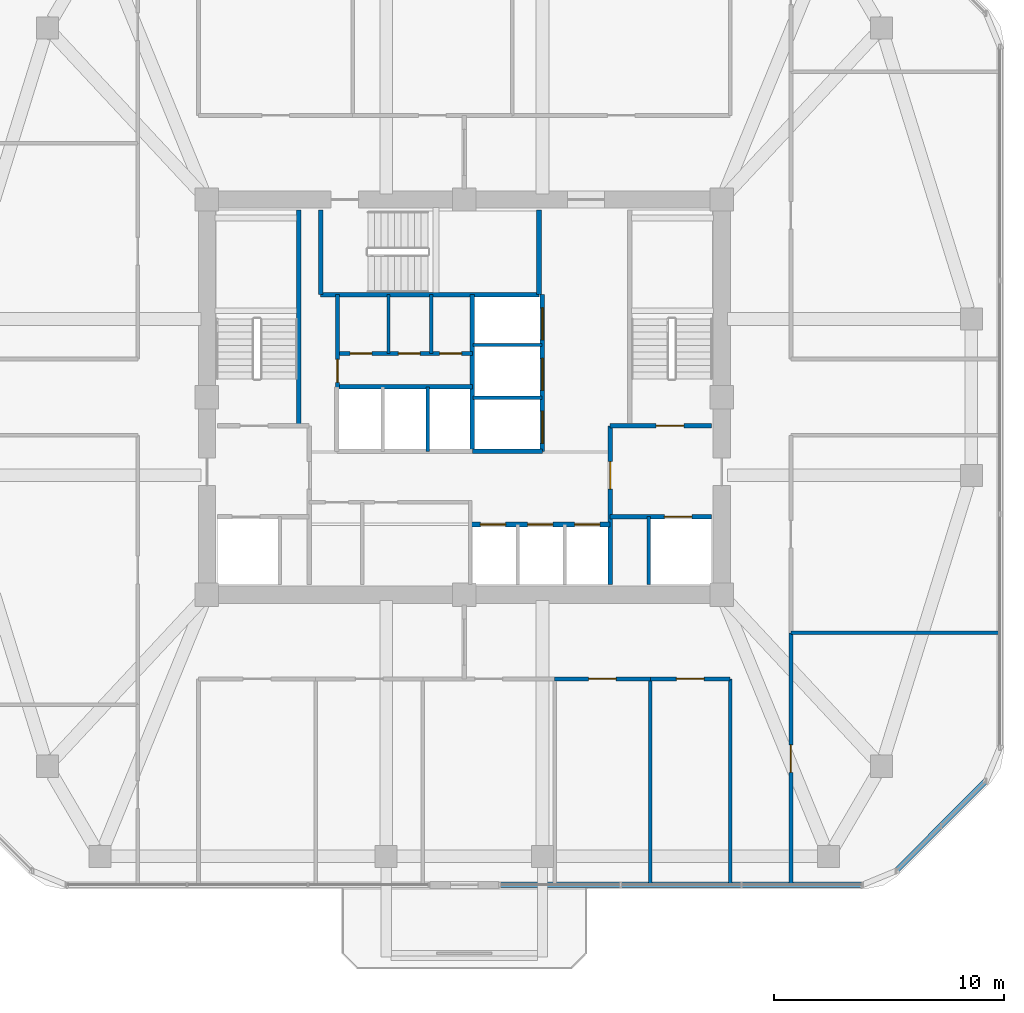
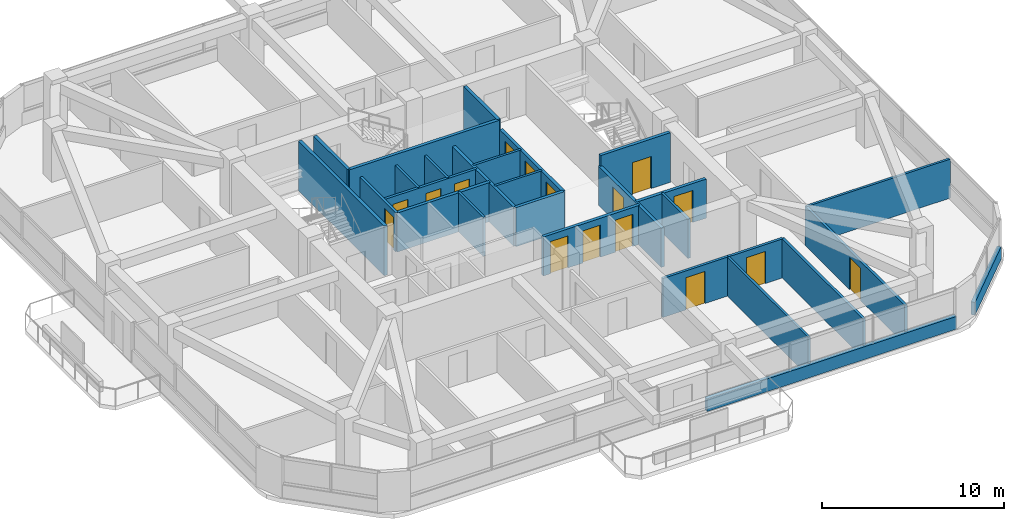
# One storey, part 8 of 12: 28 walls, 16 doors, 16 openings.
"""IFC4 building model written with IfcOpenShell, lengths in metres."""

from ifc_helpers import new_model, si_unit, derived_unit, direction, frame, frame_2d, origin, place, context, subcontext, project, spatial, rectangle, extrude, material, layer, layer_set, type_object, element, fill, save


model = new_model("IFC4")

# Units and contexts
model_context = context("Model", 3, precision=1e-05, world=origin(), true_north=direction((0.0, 1.0)))
body_context = subcontext(model_context, "Body", "Model", "MODEL_VIEW")
ifc_project = project(units=[si_unit("LENGTHUNIT", "METRE"), si_unit("AREAUNIT", "SQUARE_METRE"), si_unit("VOLUMEUNIT", "CUBIC_METRE"), si_unit("PLANEANGLEUNIT", "RADIAN"), si_unit("MASSUNIT", "GRAM", prefix="KILO"), derived_unit("THERMALTRANSMITTANCEUNIT", [(si_unit("POWERUNIT", "WATT"), 1), (si_unit("LENGTHUNIT", "METRE"), -2), (si_unit("THERMODYNAMICTEMPERATUREUNIT", "KELVIN"), -1)])], contexts=[model_context])

# Site, building, storey
site_placement = place(None, origin())
site = spatial("IfcSite", under=ifc_project, at=site_placement, CompositionType="ELEMENT")
building_placement = place(site_placement, origin())
building = spatial("IfcBuilding", under=site, at=building_placement, Name="Koralith Skygarden Medical Center", CompositionType="ELEMENT")
storey_placement = place(building_placement, frame((0.0, 0.0, 149.219970703125)))
storey = spatial("IfcBuildingStorey", under=building, at=storey_placement, Name="L38", CompositionType="ELEMENT", Elevation=149.219970703125)

# Walls
ifc_material_1 = material(Name="Gypsum Board Partition")
ifc_layer_1 = layer(ifc_material_1, 0.14990234375)
ifc_layer_set_1 = layer_set([ifc_layer_1], Name="Gypsum Board Partition")
wall_type_1 = type_object("IfcWallType", Name="Clinical Acoustic Partition 150", PredefinedType="PARTITIONING", material=ifc_layer_set_1)
for number, where, z_axis, x_axis, name in (
    (1, (33.699951171875, 27.800048828125, 0.0), (0.0, 0.0, 1.0), (0.0, 1.0, 0.0), "L38 Clinical Acoustic Partition 150 W-CORE-L38-FLEX-V2A"),
    (2, (35.56005859375, 27.800048828125, 0.0), (0.0, 0.0, 1.0), (0.0, 1.0, 0.0), "L38 Clinical Acoustic Partition 150 W-CORE-L38-FLEX-V2B"),
):
    element("IfcWall", number, at=place(storey_placement, frame(where, z_axis=z_axis, x_axis=x_axis)), inside=storey, type_object=wall_type_1, Name=name, PredefinedType="PARTITIONING", context=body_context, shape_type="SweptSolid", body=[
        extrude(rectangle(XDim=2.56005859375, YDim=0.14990234375, at=frame_2d((1.280029296875, 0.0))), origin(), (0.0, 0.0, 1.0), 2.610107421875),
    ])
wall_1_placement = place(storey_placement, frame((45.092041015625, 13.639892578125, 0.0), z_axis=(0.0, 0.0, 1.0), x_axis=(0.0, -1.0, 0.0)))
element("IfcWall", 3, at=wall_1_placement, inside=storey, type_object=wall_type_1, Name="L38 Clinical Acoustic Partition 150 W-PART-L38-S-04", PredefinedType="PARTITIONING", context=body_context, shape_type="SweptSolid", body=[
    extrude(rectangle(XDim=8.93994140625, YDim=0.14990234375, at=frame_2d((4.469970703125, 0.0))), origin(), (0.0, 0.0, 1.0), 2.610107421875),
])
wall_2_placement = place(storey_placement, frame((51.2099609375, 15.64208984375, 0.0), z_axis=(0.0, 0.0, 1.0), x_axis=(1.0, 0.0, 0.0)))
element("IfcWall", 4, at=wall_2_placement, inside=storey, type_object=wall_type_1, Name="L38 Clinical Acoustic Partition 150 W-PART-L38-ES-01", PredefinedType="PARTITIONING", context=body_context, shape_type="SweptSolid", body=[
    extrude(rectangle(XDim=9.073974609375, YDim=0.14990234375, at=frame_2d((4.537109375, 0.0))), origin(), (0.0, 0.0, 1.0), 2.610107421875),
])
ifc_layer_2 = layer(ifc_material_1, 0.1650390625)
ifc_layer_set_2 = layer_set([ifc_layer_2], Name="Gypsum Board Partition")
wall_type_2 = type_object("IfcWallType", Name="Clinical Corridor Partition 165", PredefinedType="PARTITIONING", material=ifc_layer_set_2)
wall_3_placement = place(storey_placement, frame((48.570068359375, 4.699951171875, 0.0), z_axis=(0.0, 0.0, 1.0), x_axis=(0.0, 1.0, 0.0)))
element("IfcWall", 5, at=wall_3_placement, inside=storey, type_object=wall_type_2, Name="L38 Clinical Corridor Partition 165 W-HCOR-L38-SE", PredefinedType="PARTITIONING", context=body_context, shape_type="SweptSolid", body=[
    extrude(rectangle(XDim=8.93994140625, YDim=0.1650390625, at=frame_2d((4.469970703125, 0.0))), origin(), (0.0, 0.0, 1.0), 2.610107421875),
])

# Wall, opening, door
wall_4_placement = place(storey_placement, frame((40.929931640625, 13.639892578125, 0.0), z_axis=(0.0, 0.0, 1.0), x_axis=(1.0, 0.0, 0.0)))
wall_4 = element("IfcWall", 6, at=wall_4_placement, inside=storey, type_object=wall_type_2, Name="L38 Clinical Corridor Partition 165 W-CORR-L38-S-04", PredefinedType="PARTITIONING", context=body_context, shape_type="SweptSolid", body=[
    extrude(rectangle(XDim=4.162109375, YDim=0.1650390625, at=frame_2d((2.0810546875, 0.0))), origin(), (0.0, 0.0, 1.0), 2.610107421875),
])
opening_1_placement = place(wall_4_placement, frame((1.48095703125, 0.0, 0.0)))
opening_1 = element("IfcOpeningElement", 7, at=opening_1_placement, cuts=wall_4, Name="Opening D-CLN", PredefinedType="OPENING", context=body_context, shape_type="SweptSolid", body=[
    extrude(rectangle(XDim=1.199951171875, YDim=2.14990234375, at=frame_2d((0.60009765625, 1.074951171875))), frame((0.0, 0.092529296875, 0.0), z_axis=(0.0, -1.0, 0.0), x_axis=(1.0, 0.0, 0.0)), (0.0, 0.0, 1.0), 0.18505859375),
])
ifc_material_2 = material(Name="Aluminium 6063-T6", Category="aluminium")
door_type_1 = type_object("IfcDoorType", Name="Clinical Corridor Door D-CLN 1200", OperationType="NOTDEFINED", PredefinedType="DOOR", material=ifc_material_2)
door_1_placement = place(opening_1_placement, frame((1.199951171875, 0.0, 0.0), z_axis=(0.0, 0.0, 1.0), x_axis=(-1.0, 0.0, 0.0)))
door_1 = element("IfcDoor", 8, at=door_1_placement, inside=storey, type_object=door_type_1, Name="L38 Allergy Immunology Office 07 Door", OperationType="SINGLE_SWING_RIGHT", OverallHeight=2.14990234375, OverallWidth=1.199951171875, PredefinedType="DOOR", context=body_context, shape_type="SweptSolid", body=[
    extrude(rectangle(XDim=1.199951171875, YDim=2.14990234375, at=frame_2d((0.60009765625, 1.074951171875))), frame((0.0, 0.02490234375, 0.0), z_axis=(0.0, -1.0, 0.0), x_axis=(1.0, 0.0, 0.0)), (0.0, 0.0, 1.0), 0.050048828125),
])
fill(opening_1, door_1)

wall_5_placement = place(storey_placement, frame((45.092041015625, 13.639892578125, 0.0), z_axis=(0.0, 0.0, 1.0), x_axis=(1.0, 0.0, 0.0)))
wall_5 = element("IfcWall", 9, at=wall_5_placement, inside=storey, type_object=wall_type_2, Name="L38 Clinical Corridor Partition 165 W-CORR-L38-S-05", PredefinedType="PARTITIONING", context=body_context, shape_type="SweptSolid", body=[
    extrude(rectangle(XDim=3.47802734375, YDim=0.1650390625, at=frame_2d((1.739013671875, 0.0))), origin(), (0.0, 0.0, 1.0), 2.610107421875),
])
opening_2_placement = place(wall_5_placement, frame((1.138916015625, 0.0, 0.0)))
opening_2 = element("IfcOpeningElement", 10, at=opening_2_placement, cuts=wall_5, Name="Opening D-CLN", PredefinedType="OPENING", context=body_context, shape_type="SweptSolid", body=[
    extrude(rectangle(XDim=1.199951171875, YDim=2.14990234375, at=frame_2d((0.60009765625, 1.074951171875))), frame((0.0, 0.092529296875, 0.0), z_axis=(0.0, -1.0, 0.0), x_axis=(1.0, 0.0, 0.0)), (0.0, 0.0, 1.0), 0.18505859375),
])
door_2_placement = place(opening_2_placement, frame((1.199951171875, 0.0, 0.0), z_axis=(0.0, 0.0, 1.0), x_axis=(-1.0, 0.0, 0.0)))
door_2 = element("IfcDoor", 11, at=door_2_placement, inside=storey, type_object=door_type_1, Name="L38 Clinical Tea Pantry 08 Door", OperationType="SINGLE_SWING_LEFT", OverallHeight=2.14990234375, OverallWidth=1.199951171875, PredefinedType="DOOR", context=body_context, shape_type="SweptSolid", body=[
    extrude(rectangle(XDim=1.199951171875, YDim=2.14990234375, at=frame_2d((0.60009765625, 1.074951171875))), frame((0.0, 0.02490234375, 0.0), z_axis=(0.0, -1.0, 0.0), x_axis=(1.0, 0.0, 0.0)), (0.0, 0.0, 1.0), 0.050048828125),
])
fill(opening_2, door_2)

wall_6_placement = place(storey_placement, frame((51.2099609375, 4.699951171875, 0.0), z_axis=(0.0, 0.0, 1.0), x_axis=(0.0, 1.0, 0.0)))
wall_6 = element("IfcWall", 12, at=wall_6_placement, inside=storey, type_object=wall_type_2, Name="L38 Clinical Corridor Partition 165 W-CORR-L38-ES-01", PredefinedType="PARTITIONING", context=body_context, shape_type="SweptSolid", body=[
    extrude(rectangle(XDim=10.942138671875, YDim=0.1650390625, at=frame_2d((5.47119140625, 0.0))), origin(), (0.0, 0.0, 1.0), 2.610107421875),
])
opening_3_placement = place(wall_6_placement, frame((4.87109375, 0.0, 0.0)))
opening_3 = element("IfcOpeningElement", 13, at=opening_3_placement, cuts=wall_6, Name="Opening D-CLN", PredefinedType="OPENING", context=body_context, shape_type="SweptSolid", body=[
    extrude(rectangle(XDim=1.199951171875, YDim=2.14990234375, at=frame_2d((0.60009765625, 1.074951171875))), frame((0.0, 0.092529296875, 0.0), z_axis=(0.0, -1.0, 0.0), x_axis=(1.0, 0.0, 0.0)), (0.0, 0.0, 1.0), 0.18505859375),
])
door_3_placement = place(opening_3_placement, origin())
door_3 = element("IfcDoor", 14, at=door_3_placement, inside=storey, type_object=door_type_1, Name="L38 Clinical Consultation Office 13 Door", OperationType="SINGLE_SWING_RIGHT", OverallHeight=2.14990234375, OverallWidth=1.199951171875, PredefinedType="DOOR", context=body_context, shape_type="SweptSolid", body=[
    extrude(rectangle(XDim=1.199951171875, YDim=2.14990234375, at=frame_2d((0.60009765625, 1.074951171875))), frame((0.0, 0.02490234375, 0.0), z_axis=(0.0, -1.0, 0.0), x_axis=(1.0, 0.0, 0.0)), (0.0, 0.0, 1.0), 0.050048828125),
])
fill(opening_3, door_3)

ifc_layer_3 = layer(ifc_material_1, 0.199951171875)
ifc_layer_set_3 = layer_set([ifc_layer_3], Name="Gypsum Board Partition")
wall_type_3 = type_object("IfcWallType", Name="Fire Shaft Wall 200", PredefinedType="SOLIDWALL", material=ifc_layer_set_3)
wall_7_placement = place(storey_placement, frame((43.35009765625, 20.699951171875, 0.0), z_axis=(0.0, 0.0, 1.0), x_axis=(1.0, 0.0, 0.0)))
wall_7 = element("IfcWall", 15, at=wall_7_placement, inside=storey, type_object=wall_type_3, Name="L38 Fire Shaft Wall 200 W-CORE-L38-FF2-N", PredefinedType="SOLIDWALL", context=body_context, shape_type="SweptSolid", body=[
    extrude(rectangle(XDim=4.39990234375, YDim=0.199951171875, at=frame_2d((2.199951171875, 0.0))), origin(), (0.0, 0.0, 1.0), 2.610107421875),
])
opening_4_placement = place(wall_7_placement, frame((2.35009765625, 0.0, 0.0)))
opening_4 = element("IfcOpeningElement", 16, at=opening_4_placement, cuts=wall_7, Name="Opening LD-FF", PredefinedType="OPENING", context=body_context, shape_type="SweptSolid", body=[
    extrude(rectangle(XDim=1.199951171875, YDim=2.14990234375, at=frame_2d((0.60009765625, 1.074951171875))), frame((0.0, 0.10986328125, 0.0), z_axis=(0.0, -1.0, 0.0), x_axis=(1.0, 0.0, 0.0)), (0.0, 0.0, 1.0), 0.219970703125),
])
ifc_material_3 = material(Name="Steel ASTM A500 Grade C", Category="steel")
door_type_2 = type_object("IfcDoorType", Name="Fire Lift Sliding Landing Door LD-FF 1200", OperationType="NOTDEFINED", PredefinedType="DOOR", material=ifc_material_3)
door_4_placement = place(opening_4_placement, origin())
door_4 = element("IfcDoor", 17, at=door_4_placement, inside=storey, type_object=door_type_2, Name="L38 Fire Service Elevator FF2 Landing Door", OperationType="SLIDING_TO_RIGHT", OverallHeight=2.14990234375, OverallWidth=1.199951171875, PredefinedType="DOOR", context=body_context, shape_type="SweptSolid", body=[
    extrude(rectangle(XDim=1.199951171875, YDim=2.14990234375, at=frame_2d((0.60009765625, 1.074951171875))), frame((0.0, 0.02490234375, 0.0), z_axis=(0.0, -1.0, 0.0), x_axis=(1.0, 0.0, 0.0)), (0.0, 0.0, 1.0), 0.050048828125),
])
fill(opening_4, door_4)

wall_8_placement = place(storey_placement, frame((43.35009765625, 17.75, 0.0), z_axis=(0.0, 0.0, 1.0), x_axis=(0.0, 1.0, 0.0)))
wall_8 = element("IfcWall", 18, at=wall_8_placement, inside=storey, type_object=wall_type_3, Name="L38 Fire Shaft Wall 200 W-CORE-L38-FSAEE-W", PredefinedType="SOLIDWALL", context=body_context, shape_type="SweptSolid", body=[
    extrude(rectangle(XDim=6.89990234375, YDim=0.199951171875, at=frame_2d((3.449951171875, 0.0))), origin(), (0.0, 0.0, 1.0), 2.610107421875),
])
opening_5_placement = place(wall_8_placement, frame((4.14990234375, 0.0, 0.0)))
opening_5 = element("IfcOpeningElement", 19, at=opening_5_placement, cuts=wall_8, Name="Opening D-ST60", PredefinedType="OPENING", context=body_context, shape_type="SweptSolid", body=[
    extrude(rectangle(XDim=1.199951171875, YDim=2.14990234375, at=frame_2d((0.60009765625, 1.074951171875))), frame((0.0, 0.10986328125, 0.0), z_axis=(0.0, -1.0, 0.0), x_axis=(1.0, 0.0, 0.0)), (0.0, 0.0, 1.0), 0.219970703125),
])
door_type_3 = type_object("IfcDoorType", Name="Smokeproof Stair Fire Door FD60S 1200", OperationType="NOTDEFINED", PredefinedType="DOOR", material=ifc_material_3)
door_5_placement = place(opening_5_placement, frame((1.199951171875, 0.0, 0.0), z_axis=(0.0, 0.0, 1.0), x_axis=(-1.0, 0.0, 0.0)))
door_5 = element("IfcDoor", 20, at=door_5_placement, inside=storey, type_object=door_type_3, Name="L38 East Firefighting Lobby Inner Fire Door", OperationType="SINGLE_SWING_RIGHT", OverallHeight=2.14990234375, OverallWidth=1.199951171875, PredefinedType="DOOR", context=body_context, shape_type="SweptSolid", body=[
    extrude(rectangle(XDim=1.199951171875, YDim=2.14990234375, at=frame_2d((0.60009765625, 1.074951171875))), frame((0.0, 0.02490234375, 0.0), z_axis=(0.0, -1.0, 0.0), x_axis=(1.0, 0.0, 0.0)), (0.0, 0.0, 1.0), 0.050048828125),
])
fill(opening_5, door_5)

# Wall, openings, doors
wall_9_placement = place(storey_placement, frame((37.25, 20.360107421875, 0.0), z_axis=(0.0, 0.0, 1.0), x_axis=(1.0, 0.0, 0.0)))
wall_9 = element("IfcWall", 21, at=wall_9_placement, inside=storey, type_object=wall_type_3, Name="L38 Fire Shaft Wall 200 W-CORE-L38-PM-N", PredefinedType="SOLIDWALL", context=body_context, shape_type="SweptSolid", body=[
    extrude(rectangle(XDim=6.10009765625, YDim=0.199951171875, at=frame_2d((3.050048828125, 0.0))), origin(), (0.0, 0.0, 1.0), 2.610107421875),
])
opening_6_placement = place(wall_9_placement, frame((0.449951171875, 0.0, 0.0)))
opening_6 = element("IfcOpeningElement", 22, at=opening_6_placement, cuts=wall_9, Name="Opening LD-P", PredefinedType="OPENING", context=body_context, shape_type="SweptSolid", body=[
    extrude(rectangle(XDim=1.10009765625, YDim=2.14990234375, at=frame_2d((0.550048828125, 1.074951171875))), frame((0.0, 0.10986328125, 0.0), z_axis=(0.0, -1.0, 0.0), x_axis=(1.0, 0.0, 0.0)), (0.0, 0.0, 1.0), 0.219970703125),
])
opening_7_placement = place(wall_9_placement, frame((2.5, 0.0, 0.0)))
opening_7 = element("IfcOpeningElement", 23, at=opening_7_placement, cuts=wall_9, Name="Opening LD-P", PredefinedType="OPENING", context=body_context, shape_type="SweptSolid", body=[
    extrude(rectangle(XDim=1.10009765625, YDim=2.14990234375, at=frame_2d((0.550048828125, 1.074951171875))), frame((0.0, 0.10986328125, 0.0), z_axis=(0.0, -1.0, 0.0), x_axis=(1.0, 0.0, 0.0)), (0.0, 0.0, 1.0), 0.219970703125),
])
opening_8_placement = place(wall_9_placement, frame((4.550048828125, 0.0, 0.0)))
opening_8 = element("IfcOpeningElement", 24, at=opening_8_placement, cuts=wall_9, Name="Opening LD-P", PredefinedType="OPENING", context=body_context, shape_type="SweptSolid", body=[
    extrude(rectangle(XDim=1.10009765625, YDim=2.14990234375, at=frame_2d((0.550048828125, 1.074951171875))), frame((0.0, 0.10986328125, 0.0), z_axis=(0.0, -1.0, 0.0), x_axis=(1.0, 0.0, 0.0)), (0.0, 0.0, 1.0), 0.219970703125),
])
door_type_4 = type_object("IfcDoorType", Name="Passenger Lift Sliding Landing Door LD-P 1100", OperationType="NOTDEFINED", PredefinedType="DOOR", material=ifc_material_3)
door_6_placement = place(opening_6_placement, origin())
door_6 = element("IfcDoor", 25, at=door_6_placement, inside=storey, type_object=door_type_4, Name="L38 Passenger Elevator PM1 Landing Door", OperationType="SLIDING_TO_LEFT", OverallHeight=2.14990234375, OverallWidth=1.10009765625, PredefinedType="DOOR", context=body_context, shape_type="SweptSolid", body=[
    extrude(rectangle(XDim=1.10009765625, YDim=2.14990234375, at=frame_2d((0.550048828125, 1.074951171875))), frame((0.0, 0.02490234375, 0.0), z_axis=(0.0, -1.0, 0.0), x_axis=(1.0, 0.0, 0.0)), (0.0, 0.0, 1.0), 0.050048828125),
])
fill(opening_6, door_6)
door_7_placement = place(opening_7_placement, origin())
door_7 = element("IfcDoor", 26, at=door_7_placement, inside=storey, type_object=door_type_4, Name="L38 Passenger Elevator PM2 Landing Door", OperationType="SLIDING_TO_LEFT", OverallHeight=2.14990234375, OverallWidth=1.10009765625, PredefinedType="DOOR", context=body_context, shape_type="SweptSolid", body=[
    extrude(rectangle(XDim=1.10009765625, YDim=2.14990234375, at=frame_2d((0.550048828125, 1.074951171875))), frame((0.0, 0.02490234375, 0.0), z_axis=(0.0, -1.0, 0.0), x_axis=(1.0, 0.0, 0.0)), (0.0, 0.0, 1.0), 0.050048828125),
])
fill(opening_7, door_7)
door_8_placement = place(opening_8_placement, origin())
door_8 = element("IfcDoor", 27, at=door_8_placement, inside=storey, type_object=door_type_4, Name="L38 Passenger Elevator PM3 Landing Door", OperationType="SLIDING_TO_LEFT", OverallHeight=2.14990234375, OverallWidth=1.10009765625, PredefinedType="DOOR", context=body_context, shape_type="SweptSolid", body=[
    extrude(rectangle(XDim=1.10009765625, YDim=2.14990234375, at=frame_2d((0.550048828125, 1.074951171875))), frame((0.0, 0.02490234375, 0.0), z_axis=(0.0, -1.0, 0.0), x_axis=(1.0, 0.0, 0.0)), (0.0, 0.0, 1.0), 0.050048828125),
])
fill(opening_8, door_8)

# Walls
wall_10_placement = place(storey_placement, frame((31.449951171875, 26.35009765625, 0.0), z_axis=(0.0, 0.0, 1.0), x_axis=(1.0, 0.0, 0.0)))
element("IfcWall", 28, at=wall_10_placement, inside=storey, type_object=wall_type_3, Name="L38 Fire Shaft Wall 200 W-CORE-L38-PH-N", PredefinedType="SOLIDWALL", context=body_context, shape_type="SweptSolid", body=[
    extrude(rectangle(XDim=5.900146484375, YDim=0.199951171875, at=frame_2d((2.9501953125, 0.0))), origin(), (0.0, 0.0, 1.0), 2.610107421875),
])
wall_11_placement = place(storey_placement, frame((37.35009765625, 23.5400390625, 0.0), z_axis=(0.0, 0.0, 1.0), x_axis=(0.0, 1.0, 0.0)))
element("IfcWall", 29, at=wall_11_placement, inside=storey, type_object=wall_type_3, Name="L38 Fire Shaft Wall 200 W-CORE-L38-SV-W", PredefinedType="SOLIDWALL", context=body_context, shape_type="SweptSolid", body=[
    extrude(rectangle(XDim=6.820068359375, YDim=0.199951171875, at=frame_2d((3.41015625, 0.0))), origin(), (0.0, 0.0, 1.0), 2.610107421875),
])
wall_12_placement = place(storey_placement, frame((37.35009765625, 23.5400390625, 0.0), z_axis=(0.0, 0.0, 1.0), x_axis=(1.0, 0.0, 0.0)))
element("IfcWall", 30, at=wall_12_placement, inside=storey, type_object=wall_type_3, Name="L38 Fire Shaft Wall 200 W-CORE-L38-SV-S", PredefinedType="SOLIDWALL", context=body_context, shape_type="SweptSolid", body=[
    extrude(rectangle(XDim=3.0498046875, YDim=0.199951171875, at=frame_2d((1.52490234375, 0.0))), origin(), (0.0, 0.0, 1.0), 2.610107421875),
])

# Wall, openings, doors
wall_13_placement = place(storey_placement, frame((40.39990234375, 23.5400390625, 0.0), z_axis=(0.0, 0.0, 1.0), x_axis=(0.0, 1.0, 0.0)))
wall_13 = element("IfcWall", 31, at=wall_13_placement, inside=storey, type_object=wall_type_3, Name="L38 Fire Shaft Wall 200 W-CORE-L38-SV-E", PredefinedType="SOLIDWALL", context=body_context, shape_type="SweptSolid", body=[
    extrude(rectangle(XDim=6.820068359375, YDim=0.199951171875, at=frame_2d((3.41015625, 0.0))), origin(), (0.0, 0.0, 1.0), 2.610107421875),
])
opening_9_placement = place(wall_13_placement, frame((0.35009765625, 0.0, 0.0)))
opening_9 = element("IfcOpeningElement", 32, at=opening_9_placement, cuts=wall_13, Name="Opening LD-SV", PredefinedType="OPENING", context=body_context, shape_type="SweptSolid", body=[
    extrude(rectangle(XDim=1.39990234375, YDim=2.199951171875, at=frame_2d((0.699951171875, 1.10009765625))), frame((0.0, 0.10986328125, 0.0), z_axis=(0.0, -1.0, 0.0), x_axis=(1.0, 0.0, 0.0)), (0.0, 0.0, 1.0), 0.219970703125),
])
opening_10_placement = place(wall_13_placement, frame((2.64990234375, 0.0, 0.0)))
opening_10 = element("IfcOpeningElement", 33, at=opening_10_placement, cuts=wall_13, Name="Opening LD-SV", PredefinedType="OPENING", context=body_context, shape_type="SweptSolid", body=[
    extrude(rectangle(XDim=1.39990234375, YDim=2.199951171875, at=frame_2d((0.699951171875, 1.10009765625))), frame((0.0, 0.10986328125, 0.0), z_axis=(0.0, -1.0, 0.0), x_axis=(1.0, 0.0, 0.0)), (0.0, 0.0, 1.0), 0.219970703125),
])
opening_11_placement = place(wall_13_placement, frame((4.85009765625, 0.0, 0.0)))
opening_11 = element("IfcOpeningElement", 34, at=opening_11_placement, cuts=wall_13, Name="Opening LD-SV", PredefinedType="OPENING", context=body_context, shape_type="SweptSolid", body=[
    extrude(rectangle(XDim=1.39990234375, YDim=2.199951171875, at=frame_2d((0.699951171875, 1.10009765625))), frame((0.0, 0.10986328125, 0.0), z_axis=(0.0, -1.0, 0.0), x_axis=(1.0, 0.0, 0.0)), (0.0, 0.0, 1.0), 0.219970703125),
])
door_type_5 = type_object("IfcDoorType", Name="Bed Lift Sliding Landing Door LD-SV 1400", OperationType="NOTDEFINED", PredefinedType="DOOR", material=ifc_material_3)
door_9_placement = place(opening_9_placement, origin())
door_9 = element("IfcDoor", 35, at=door_9_placement, inside=storey, type_object=door_type_5, Name="L38 Bed Elevator BD1 Landing Door", OperationType="SLIDING_TO_LEFT", OverallHeight=2.199951171875, OverallWidth=1.39990234375, PredefinedType="DOOR", context=body_context, shape_type="SweptSolid", body=[
    extrude(rectangle(XDim=1.39990234375, YDim=2.199951171875, at=frame_2d((0.699951171875, 1.10009765625))), frame((0.0, 0.02490234375, 0.0), z_axis=(0.0, -1.0, 0.0), x_axis=(1.0, 0.0, 0.0)), (0.0, 0.0, 1.0), 0.050048828125),
])
fill(opening_9, door_9)
door_10_placement = place(opening_10_placement, origin())
door_10 = element("IfcDoor", 36, at=door_10_placement, inside=storey, type_object=door_type_5, Name="L38 Service Elevator BD2 Landing Door", OperationType="SLIDING_TO_LEFT", OverallHeight=2.199951171875, OverallWidth=1.39990234375, PredefinedType="DOOR", context=body_context, shape_type="SweptSolid", body=[
    extrude(rectangle(XDim=1.39990234375, YDim=2.199951171875, at=frame_2d((0.699951171875, 1.10009765625))), frame((0.0, 0.02490234375, 0.0), z_axis=(0.0, -1.0, 0.0), x_axis=(1.0, 0.0, 0.0)), (0.0, 0.0, 1.0), 0.050048828125),
])
fill(opening_10, door_10)
door_11_placement = place(opening_11_placement, origin())
door_11 = element("IfcDoor", 37, at=door_11_placement, inside=storey, type_object=door_type_5, Name="L38 Trauma Elevator TR1 Landing Door", OperationType="SLIDING_TO_RIGHT", OverallHeight=2.199951171875, OverallWidth=1.39990234375, PredefinedType="DOOR", context=body_context, shape_type="SweptSolid", body=[
    extrude(rectangle(XDim=1.39990234375, YDim=2.199951171875, at=frame_2d((0.699951171875, 1.10009765625))), frame((0.0, 0.02490234375, 0.0), z_axis=(0.0, -1.0, 0.0), x_axis=(1.0, 0.0, 0.0)), (0.0, 0.0, 1.0), 0.050048828125),
])
fill(opening_11, door_11)

# Walls
ifc_material_4 = material(Name="Warm Oolitic Limestone Cladding", Category="masonry")
ifc_layer_4 = layer(ifc_material_4, 0.239990234375)
ifc_layer_set_4 = layer_set([ifc_layer_4], Name="Warm Oolitic Limestone Cladding")
wall_type_4 = type_object("IfcWallType", Name="Limestone Spandrel Sill Backup Wall 240", PredefinedType="SOLIDWALL", material=ifc_layer_set_4)
wall_14_placement = place(storey_placement, frame((38.5390625, 4.679931640625, 0.0), z_axis=(0.0, 0.0, 1.0), x_axis=(1.0, 0.0, 0.0)))
element("IfcWall", 38, at=wall_14_placement, inside=storey, type_object=wall_type_4, Name="L38 Sill Spandrel S-R", PredefinedType="SOLIDWALL", context=body_context, shape_type="SweptSolid", body=[
    extrude(rectangle(XDim=15.7900390625, YDim=0.239990234375, at=frame_2d((7.89501953125, 0.0))), origin(), (0.0, 0.0, 1.0), 0.85009765625),
])
wall_15_placement = place(storey_placement, frame((55.780029296875, 5.281005859375, 0.0), z_axis=(0.0, 0.0, 1.0), x_axis=(0.707084777957, 0.707128783731, 0.0)))
element("IfcWall", 39, at=wall_15_placement, inside=storey, type_object=wall_type_4, Name="L38 Sill Spandrel SE", PredefinedType="SOLIDWALL", context=body_context, shape_type="SweptSolid", body=[
    extrude(rectangle(XDim=5.5478515625, YDim=0.239990234375, at=frame_2d((2.77392578125, 0.0))), origin(), (0.0, 0.0, 1.0), 0.85009765625),
])

# Wall, opening, door
ifc_layer_5 = layer(ifc_material_1, 0.1650390625)
ifc_layer_set_5 = layer_set([ifc_layer_5], Name="Gypsum Board Partition")
wall_type_5 = type_object("IfcWallType", Name="Plumbing Wet Wall 165", PredefinedType="PLUMBINGWALL", material=ifc_layer_set_5)
wall_16_placement = place(storey_placement, frame((31.47998046875, 26.320068359375, 0.0), z_axis=(0.0, 0.0, 1.0), x_axis=(0.0, 1.0, 0.0)))
wall_16 = element("IfcWall", 40, at=wall_16_placement, inside=storey, type_object=wall_type_5, Name="L38 Plumbing Wet Wall 165 W-CORE-L38-FLEX-W", PredefinedType="PLUMBINGWALL", context=body_context, shape_type="SweptSolid", body=[
    extrude(rectangle(XDim=4.0400390625, YDim=0.1650390625, at=frame_2d((2.02001953125, 0.0))), origin(), (0.0, 0.0, 1.0), 2.610107421875),
])
opening_12_placement = place(wall_16_placement, frame((0.219970703125, 0.0, 0.0)))
opening_12 = element("IfcOpeningElement", 41, at=opening_12_placement, cuts=wall_16, Name="Opening D-SUP", PredefinedType="OPENING", context=body_context, shape_type="SweptSolid", body=[
    extrude(rectangle(XDim=1.0, YDim=2.14990234375, at=frame_2d((0.5, 1.074951171875))), frame((0.0, 0.092529296875, 0.0), z_axis=(0.0, -1.0, 0.0), x_axis=(1.0, 0.0, 0.0)), (0.0, 0.0, 1.0), 0.18505859375),
])
door_type_6 = type_object("IfcDoorType", Name="Clinical Support Door D-SUP 1000", OperationType="NOTDEFINED", PredefinedType="DOOR", material=ifc_material_2)
door_12_placement = place(opening_12_placement, frame((1.0, 0.0, 0.0), z_axis=(0.0, 0.0, 1.0), x_axis=(-1.0, 0.0, 0.0)))
door_12 = element("IfcDoor", 42, at=door_12_placement, inside=storey, type_object=door_type_6, Name="L38 Core Service Alcove Door", OperationType="SINGLE_SWING_LEFT", OverallHeight=2.14990234375, OverallWidth=1.0, PredefinedType="DOOR", context=body_context, shape_type="SweptSolid", body=[
    extrude(rectangle(XDim=1.0, YDim=2.14990234375, at=frame_2d((0.5, 1.074951171875))), frame((0.0, 0.02490234375, 0.0), z_axis=(0.0, -1.0, 0.0), x_axis=(1.0, 0.0, 0.0)), (0.0, 0.0, 1.0), 0.050048828125),
])
fill(opening_12, door_12)

# Wall, openings, doors
wall_17_placement = place(storey_placement, frame((31.47998046875, 27.800048828125, 0.0), z_axis=(0.0, 0.0, 1.0), x_axis=(1.0, 0.0, 0.0)))
wall_17 = element("IfcWall", 43, at=wall_17_placement, inside=storey, type_object=wall_type_5, Name="L38 Plumbing Wet Wall 165 W-CORE-L38-FLEX-H2", PredefinedType="PLUMBINGWALL", context=body_context, shape_type="SweptSolid", body=[
    extrude(rectangle(XDim=5.8701171875, YDim=0.1650390625, at=frame_2d((2.93505859375, 0.0))), origin(), (0.0, 0.0, 1.0), 2.610107421875),
])
opening_13_placement = place(wall_17_placement, frame((0.550048828125, 0.0, 0.0)))
opening_13 = element("IfcOpeningElement", 44, at=opening_13_placement, cuts=wall_17, Name="Opening D-WC", PredefinedType="OPENING", context=body_context, shape_type="SweptSolid", body=[
    extrude(rectangle(XDim=0.949951171875, YDim=2.10009765625, at=frame_2d((0.47509765625, 1.050048828125))), frame((0.0, 0.092529296875, 0.0), z_axis=(0.0, -1.0, 0.0), x_axis=(1.0, 0.0, 0.0)), (0.0, 0.0, 1.0), 0.18505859375),
])
opening_14_placement = place(wall_17_placement, frame((2.64990234375, 0.0, 0.0)))
opening_14 = element("IfcOpeningElement", 45, at=opening_14_placement, cuts=wall_17, Name="Opening D-WC", PredefinedType="OPENING", context=body_context, shape_type="SweptSolid", body=[
    extrude(rectangle(XDim=0.949951171875, YDim=2.10009765625, at=frame_2d((0.47509765625, 1.050048828125))), frame((0.0, 0.092529296875, 0.0), z_axis=(0.0, -1.0, 0.0), x_axis=(1.0, 0.0, 0.0)), (0.0, 0.0, 1.0), 0.18505859375),
])
opening_15_placement = place(wall_17_placement, frame((4.449951171875, 0.0, 0.0)))
opening_15 = element("IfcOpeningElement", 46, at=opening_15_placement, cuts=wall_17, Name="Opening D-WC", PredefinedType="OPENING", context=body_context, shape_type="SweptSolid", body=[
    extrude(rectangle(XDim=0.949951171875, YDim=2.10009765625, at=frame_2d((0.47509765625, 1.050048828125))), frame((0.0, 0.092529296875, 0.0), z_axis=(0.0, -1.0, 0.0), x_axis=(1.0, 0.0, 0.0)), (0.0, 0.0, 1.0), 0.18505859375),
])
door_type_7 = type_object("IfcDoorType", Name="Accessible Toilet Door D-WC 950", OperationType="NOTDEFINED", PredefinedType="DOOR", material=ifc_material_2)
door_13_placement = place(opening_13_placement, origin())
door_13 = element("IfcDoor", 47, at=door_13_placement, inside=storey, type_object=door_type_7, Name="L38 Core Accessible WC Door", OperationType="SINGLE_SWING_LEFT", OverallHeight=2.10009765625, OverallWidth=0.949951171875, PredefinedType="DOOR", context=body_context, shape_type="SweptSolid", body=[
    extrude(rectangle(XDim=0.949951171875, YDim=2.10009765625, at=frame_2d((0.47509765625, 1.050048828125))), frame((0.0, 0.02490234375, 0.0), z_axis=(0.0, -1.0, 0.0), x_axis=(1.0, 0.0, 0.0)), (0.0, 0.0, 1.0), 0.050048828125),
])
fill(opening_13, door_13)
door_14_placement = place(opening_14_placement, origin())
door_14 = element("IfcDoor", 48, at=door_14_placement, inside=storey, type_object=door_type_7, Name="L38 Soiled Sluice Door", OperationType="SINGLE_SWING_LEFT", OverallHeight=2.10009765625, OverallWidth=0.949951171875, PredefinedType="DOOR", context=body_context, shape_type="SweptSolid", body=[
    extrude(rectangle(XDim=0.949951171875, YDim=2.10009765625, at=frame_2d((0.47509765625, 1.050048828125))), frame((0.0, 0.02490234375, 0.0), z_axis=(0.0, -1.0, 0.0), x_axis=(1.0, 0.0, 0.0)), (0.0, 0.0, 1.0), 0.050048828125),
])
fill(opening_14, door_14)
door_15_placement = place(opening_15_placement, origin())
door_15 = element("IfcDoor", 49, at=door_15_placement, inside=storey, type_object=door_type_7, Name="L38 Clean Linen Store Door", OperationType="SINGLE_SWING_RIGHT", OverallHeight=2.10009765625, OverallWidth=0.949951171875, PredefinedType="DOOR", context=body_context, shape_type="SweptSolid", body=[
    extrude(rectangle(XDim=0.949951171875, YDim=2.10009765625, at=frame_2d((0.47509765625, 1.050048828125))), frame((0.0, 0.02490234375, 0.0), z_axis=(0.0, -1.0, 0.0), x_axis=(1.0, 0.0, 0.0)), (0.0, 0.0, 1.0), 0.050048828125),
])
fill(opening_15, door_15)

# Walls
ifc_layer_6 = layer(ifc_material_1, 0.14990234375)
ifc_layer_set_6 = layer_set([ifc_layer_6], Name="Gypsum Board Partition")
wall_type_6 = type_object("IfcWallType", Name="Shaft Partition Wall 150", PredefinedType="PARTITIONING", material=ifc_layer_set_6)
wall_18_placement = place(storey_placement, frame((45.02001953125, 17.75, 0.0), z_axis=(0.0, 0.0, 1.0), x_axis=(0.0, 1.0, 0.0)))
element("IfcWall", 50, at=wall_18_placement, inside=storey, type_object=wall_type_6, Name="L38 Shaft Partition Wall 150 W-CORE-L38-RSRE-DIV", PredefinedType="PARTITIONING", context=body_context, shape_type="SweptSolid", body=[
    extrude(rectangle(XDim=2.949951171875, YDim=0.14990234375, at=frame_2d((1.47509765625, 0.0))), origin(), (0.0, 0.0, 1.0), 2.610107421875),
])
wall_19_placement = place(storey_placement, frame((35.39990234375, 23.5400390625, 0.0), z_axis=(0.0, 0.0, 1.0), x_axis=(0.0, 1.0, 0.0)))
element("IfcWall", 51, at=wall_19_placement, inside=storey, type_object=wall_type_6, Name="L38 Shaft Partition Wall 150 W-CORE-L38-PH-D2", PredefinedType="PARTITIONING", context=body_context, shape_type="SweptSolid", body=[
    extrude(rectangle(XDim=2.81005859375, YDim=0.14990234375, at=frame_2d((1.405029296875, 0.0))), origin(), (0.0, 0.0, 1.0), 2.610107421875),
])
for number, where, z_axis, x_axis, name in (
    (52, (37.3701171875, 25.8701171875, 0.0), (0.0, 0.0, 1.0), (1.0, 0.0, 0.0), "L38 Shaft Partition Wall 150 W-CORE-L38-SV-D1"),
    (53, (37.3701171875, 28.169921875, 0.0), (0.0, 0.0, 1.0), (1.0, 0.0, 0.0), "L38 Shaft Partition Wall 150 W-CORE-L38-SV-D2"),
):
    element("IfcWall", number, at=place(storey_placement, frame(where, z_axis=z_axis, x_axis=x_axis)), inside=storey, type_object=wall_type_6, Name=name, PredefinedType="PARTITIONING", context=body_context, shape_type="SweptSolid", body=[
        extrude(rectangle(XDim=3.009765625, YDim=0.14990234375, at=frame_2d((1.5048828125, 0.0))), origin(), (0.0, 0.0, 1.0), 2.610107421875),
    ])
ifc_material_5 = material(Name="Concrete C45/55", Category="concrete")
ifc_layer_7 = layer(ifc_material_5, 0.199951171875)
ifc_layer_set_7 = layer_set([ifc_layer_7], Name="Concrete C45/55")
wall_type_7 = type_object("IfcWallType", Name="Structural Stair Shaft Wall 200", PredefinedType="SHEAR", material=ifc_layer_set_7)
wall_20_placement = place(storey_placement, frame((29.800048828125, 24.64990234375, 0.0), z_axis=(0.0, 0.0, 1.0), x_axis=(0.0, 1.0, 0.0)))
element("IfcWall", 54, at=wall_20_placement, inside=storey, type_object=wall_type_7, Name="L38 Structural Stair Shaft Wall 200 W-CORE-L38-ST1-E", PredefinedType="SHEAR", context=body_context, shape_type="SweptSolid", body=[
    extrude(rectangle(XDim=9.400146484375, YDim=0.199951171875, at=frame_2d((4.7001953125, 0.0))), origin(), (0.0, 0.0, 1.0), 3.320068359375),
])

# Wall, opening, door
wall_21_placement = place(storey_placement, frame((43.35009765625, 24.64990234375, 0.0), z_axis=(0.0, 0.0, 1.0), x_axis=(1.0, 0.0, 0.0)))
wall_21 = element("IfcWall", 55, at=wall_21_placement, inside=storey, type_object=wall_type_7, Name="L38 Structural Stair Shaft Wall 200 W-CORE-L38-ST2-S", PredefinedType="SHEAR", context=body_context, shape_type="SweptSolid", body=[
    extrude(rectangle(XDim=4.39990234375, YDim=0.199951171875, at=frame_2d((2.199951171875, 0.0))), origin(), (0.0, 0.0, 1.0), 3.320068359375),
])
opening_16_placement = place(wall_21_placement, frame((2.0, 0.0, 0.0)))
opening_16 = element("IfcOpeningElement", 56, at=opening_16_placement, cuts=wall_21, Name="Opening D-ST60", PredefinedType="OPENING", context=body_context, shape_type="SweptSolid", body=[
    extrude(rectangle(XDim=1.199951171875, YDim=2.14990234375, at=frame_2d((0.60009765625, 1.074951171875))), frame((0.0, 0.10986328125, 0.0), z_axis=(0.0, -1.0, 0.0), x_axis=(1.0, 0.0, 0.0)), (0.0, 0.0, 1.0), 0.219970703125),
])
door_16_placement = place(opening_16_placement, origin())
door_16 = element("IfcDoor", 57, at=door_16_placement, inside=storey, type_object=door_type_3, Name="L38 Exit Stair ST2 Fire Door", OperationType="SINGLE_SWING_RIGHT", OverallHeight=2.14990234375, OverallWidth=1.199951171875, PredefinedType="DOOR", context=body_context, shape_type="SweptSolid", body=[
    extrude(rectangle(XDim=1.199951171875, YDim=2.14990234375, at=frame_2d((0.60009765625, 1.074951171875))), frame((0.0, 0.02490234375, 0.0), z_axis=(0.0, -1.0, 0.0), x_axis=(1.0, 0.0, 0.0)), (0.0, 0.0, 1.0), 0.050048828125),
])
fill(opening_16, door_16)

# Walls
wall_22_placement = place(storey_placement, frame((30.75, 30.360107421875, 0.0), z_axis=(0.0, 0.0, 1.0), x_axis=(1.0, 0.0, 0.0)))
element("IfcWall", 58, at=wall_22_placement, inside=storey, type_object=wall_type_7, Name="L38 Structural Stair Shaft Wall 200 W-CORE-L38-ST3-S", PredefinedType="SHEAR", context=body_context, shape_type="SweptSolid", body=[
    extrude(rectangle(XDim=9.5, YDim=0.199951171875, at=frame_2d((4.75, 0.0))), origin(), (0.0, 0.0, 1.0), 3.320068359375),
])
for number, where, z_axis, x_axis, name in (
    (59, (30.75, 30.360107421875, 0.0), (0.0, 0.0, 1.0), (0.0, 1.0, 0.0), "L38 Structural Stair Shaft Wall 200 W-CORE-L38-ST3-W"),
    (60, (40.25, 30.360107421875, 0.0), (0.0, 0.0, 1.0), (0.0, 1.0, 0.0), "L38 Structural Stair Shaft Wall 200 W-CORE-L38-ST3-E"),
):
    element("IfcWall", number, at=place(storey_placement, frame(where, z_axis=z_axis, x_axis=x_axis)), inside=storey, type_object=wall_type_7, Name=name, PredefinedType="SHEAR", context=body_context, shape_type="SweptSolid", body=[
        extrude(rectangle(XDim=3.68994140625, YDim=0.199951171875, at=frame_2d((1.844970703125, 0.0))), origin(), (0.0, 0.0, 1.0), 3.320068359375),
    ])

save(model, "model.ifc")
